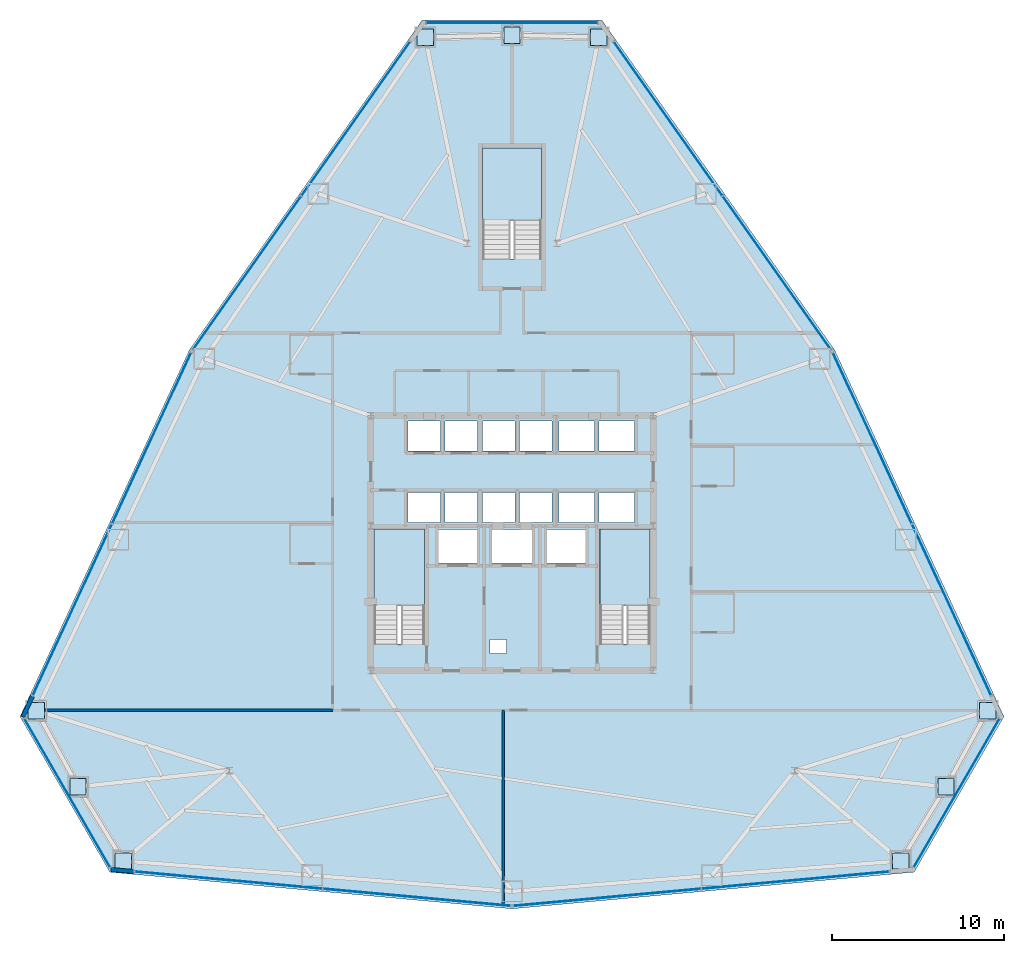
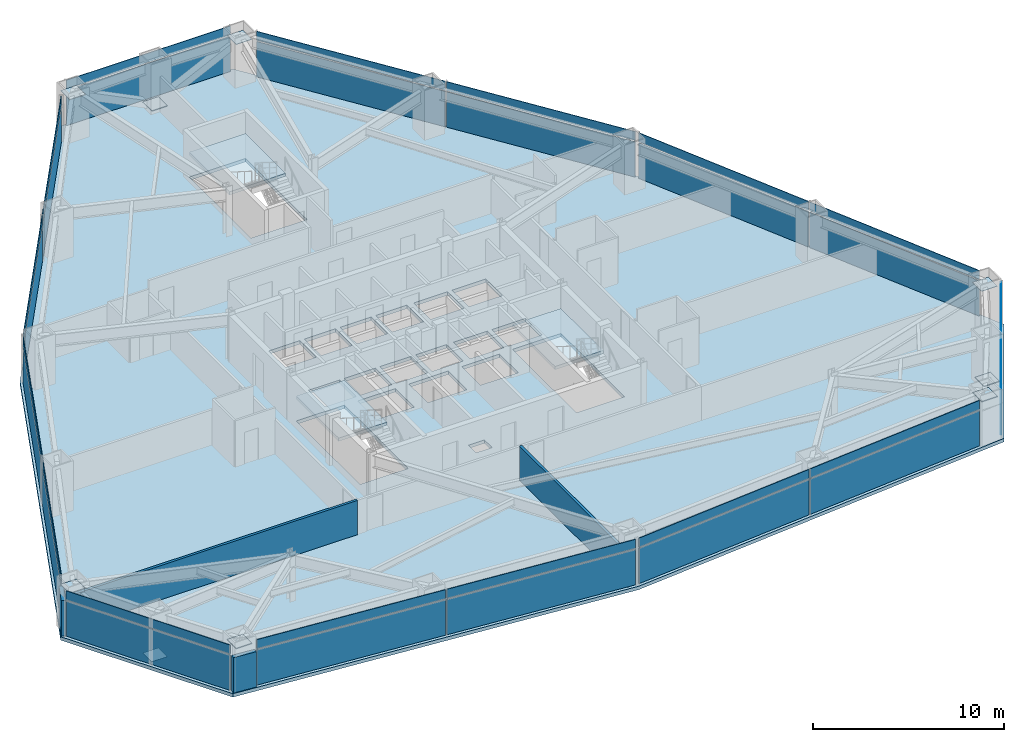
# One storey, part 8 of 12: 39 plates, 4 slabs, 4 walls, 12 elements without a shape of their own.
"""IFC4 building model written with IfcOpenShell, lengths in metres."""

from ifc_helpers import new_model, si_unit, direction, frame, frame_2d, origin, origin_2d, place, context, subcontext, project, spatial, polyline, rectangle, outline, extrude, source, transform, mapped, material, layer, layer_set, type_object, type_shapes, element, aggregate, save


model = new_model("IFC4")

# Units and contexts
model_context = context("Model", 3, precision=1e-05, world=origin(), true_north=direction((0.0, 1.0)))
body_context = subcontext(model_context, "Body", "Model", "MODEL_VIEW")
ifc_project = project(units=[si_unit("LENGTHUNIT", "METRE"), si_unit("AREAUNIT", "SQUARE_METRE"), si_unit("VOLUMEUNIT", "CUBIC_METRE"), si_unit("PLANEANGLEUNIT", "RADIAN"), si_unit("MASSUNIT", "GRAM", prefix="KILO")], contexts=[model_context])

# Site, building, storey
site_placement = place(None, origin())
site = spatial("IfcSite", under=ifc_project, at=site_placement, CompositionType="ELEMENT")
building_placement = place(site_placement, origin())
building = spatial("IfcBuilding", under=site, at=building_placement, Name="Varakhsha Concourse Tower", CompositionType="ELEMENT")
storey_placement = place(building_placement, frame((0.0, 0.0, 43.199951171875)))
storey = spatial("IfcBuildingStorey", under=building, at=storey_placement, Name="L11", CompositionType="ELEMENT", Elevation=43.199951171875)

# Slab
ifc_material_1 = material(Name="Concrete fc 45 MPa", Category="concrete")
ifc_layer_1 = layer(ifc_material_1, 0.219970703125, Name="SL-FLR-220")
ifc_layer_set_1 = layer_set([ifc_layer_1], Name="Concrete fc 45 MPa")
slab_type_1 = type_object("IfcSlabType", Name="SL-FLR-220", PredefinedType="FLOOR", material=ifc_layer_set_1)
slab_1_placement = place(storey_placement, frame((0.0, 0.0, -0.219970703125)))
element("IfcSlab", 1, at=slab_1_placement, inside=storey, type_object=slab_type_1, Name="L11 Composite Structural Slab", PredefinedType="FLOOR", context=body_context, shape_type="SweptSolid", body=[
    extrude(outline(polyline([(45.21435546875, 54.168701171875), (34.78564453125, 54.168701171875), (21.268310546875, 35.0146484375), (11.439208984375, 13.7314453125), (16.653564453125, 4.699951171875), (40.0, 2.570556640625), (63.346435546875, 4.699951171875), (68.560791015625, 13.7314453125), (58.731689453125, 35.0146484375), (45.21435546875, 54.168701171875)]), holes=[polyline([(34.919921875, 17.93994140625), (34.919921875, 24.6298828125), (32.0, 24.6298828125), (32.0, 17.93994140625), (34.919921875, 17.93994140625)]), polyline([(48.02001953125, 17.93994140625), (48.02001953125, 24.6298828125), (45.10009765625, 24.6298828125), (45.10009765625, 17.93994140625), (48.02001953125, 17.93994140625)]), polyline([(41.699951171875, 40.300048828125), (41.699951171875, 46.75), (38.300048828125, 46.75), (38.300048828125, 40.300048828125), (41.699951171875, 40.300048828125)]), polyline([(33.9599609375, 29.159912109375), (35.840087890625, 29.159912109375), (35.840087890625, 30.89990234375), (33.9599609375, 30.89990234375), (33.9599609375, 29.159912109375)]), polyline([(36.1201171875, 29.159912109375), (38.0, 29.159912109375), (38.0, 30.89990234375), (36.1201171875, 30.89990234375), (36.1201171875, 29.159912109375)]), polyline([(38.280029296875, 29.159912109375), (40.159912109375, 29.159912109375), (40.159912109375, 30.89990234375), (38.280029296875, 30.89990234375), (38.280029296875, 29.159912109375)]), polyline([(40.43994140625, 29.159912109375), (42.320068359375, 29.159912109375), (42.320068359375, 30.89990234375), (40.43994140625, 30.89990234375), (40.43994140625, 29.159912109375)]), polyline([(33.9599609375, 25.0), (35.840087890625, 25.0), (35.840087890625, 26.739990234375), (33.9599609375, 26.739990234375), (33.9599609375, 25.0)]), polyline([(36.1201171875, 25.0), (38.0, 25.0), (38.0, 26.739990234375), (36.1201171875, 26.739990234375), (36.1201171875, 25.0)]), polyline([(38.280029296875, 25.0), (40.159912109375, 25.0), (40.159912109375, 26.739990234375), (38.280029296875, 26.739990234375), (38.280029296875, 25.0)]), polyline([(40.43994140625, 25.0), (42.320068359375, 25.0), (42.320068359375, 26.739990234375), (40.43994140625, 26.739990234375), (40.43994140625, 25.0)]), polyline([(42.739990234375, 29.159912109375), (44.780029296875, 29.159912109375), (44.780029296875, 30.89990234375), (42.739990234375, 30.89990234375), (42.739990234375, 29.159912109375)]), polyline([(45.06005859375, 29.159912109375), (47.10009765625, 29.159912109375), (47.10009765625, 30.89990234375), (45.06005859375, 30.89990234375), (45.06005859375, 29.159912109375)]), polyline([(42.739990234375, 25.0), (44.780029296875, 25.0), (44.780029296875, 26.739990234375), (42.739990234375, 26.739990234375), (42.739990234375, 25.0)]), polyline([(45.06005859375, 25.0), (47.10009765625, 25.0), (47.10009765625, 26.739990234375), (45.06005859375, 26.739990234375), (45.06005859375, 25.0)]), polyline([(35.7099609375, 22.639892578125), (37.989990234375, 22.639892578125), (37.989990234375, 24.60009765625), (35.7099609375, 24.60009765625), (35.7099609375, 22.639892578125)]), polyline([(42.010009765625, 22.639892578125), (44.2900390625, 22.639892578125), (44.2900390625, 24.60009765625), (42.010009765625, 24.60009765625), (42.010009765625, 22.639892578125)]), polyline([(38.81005859375, 22.639892578125), (41.18994140625, 22.639892578125), (41.18994140625, 24.60009765625), (38.81005859375, 24.60009765625), (38.81005859375, 22.639892578125)]), polyline([(38.719970703125, 17.39990234375), (39.679931640625, 17.39990234375), (39.679931640625, 18.199951171875), (38.719970703125, 18.199951171875), (38.719970703125, 17.39990234375)])]), origin(), (0.0, 0.0, 1.0), 0.219970703125),
])

# Stair, slab
stair_type_1 = type_object("IfcStairType", Name="ST-DOGLEG-1360", PredefinedType="HALF_TURN_STAIR", material=ifc_material_1)
stair_1_placement = place(storey_placement, origin())
stair_1 = element("IfcStair", 2, at=stair_1_placement, inside=storey, type_object=stair_type_1, Name="L11 Protected Exit Stair ST1", PredefinedType="HALF_TURN_STAIR")
ifc_layer_2 = layer(ifc_material_1, 0.199951171875, Name="SL-LAND-200")
ifc_layer_set_2 = layer_set([ifc_layer_2], Name="Concrete fc 45 MPa")
slab_type_2 = type_object("IfcSlabType", Name="SL-LAND-200", PredefinedType="LANDING", material=ifc_layer_set_2)
slab_2_placement = place(storey_placement, frame((0.0, 0.0, 1.400146484375)))
slab_2 = element("IfcSlab", 3, at=slab_2_placement, type_object=slab_type_2, Name="ST1 landing 1", PredefinedType="LANDING", context=body_context, shape_type="SweptSolid", body=[
    extrude(outline(polyline([(34.919921875, 20.179931640625), (34.919921875, 24.6298828125), (32.0, 24.6298828125), (32.0, 20.179931640625), (34.919921875, 20.179931640625)])), origin(), (0.0, 0.0, 1.0), 0.199951171875),
])
aggregate(stair_1, [slab_2])

stair_2_placement = place(storey_placement, origin())
stair_2 = element("IfcStair", 4, at=stair_2_placement, inside=storey, type_object=stair_type_1, Name="L11 Protected Exit Stair ST2", PredefinedType="HALF_TURN_STAIR")
slab_3_placement = place(storey_placement, frame((0.0, 0.0, 1.400146484375)))
slab_3 = element("IfcSlab", 5, at=slab_3_placement, type_object=slab_type_2, Name="ST2 landing 1", PredefinedType="LANDING", context=body_context, shape_type="SweptSolid", body=[
    extrude(outline(polyline([(48.02001953125, 20.179931640625), (48.02001953125, 24.6298828125), (45.10009765625, 24.6298828125), (45.10009765625, 20.179931640625), (48.02001953125, 20.179931640625)])), origin(), (0.0, 0.0, 1.0), 0.199951171875),
])
aggregate(stair_2, [slab_3])

stair_type_2 = type_object("IfcStairType", Name="ST-DOGLEG-1600", PredefinedType="HALF_TURN_STAIR", material=ifc_material_1)
stair_3_placement = place(storey_placement, origin())
stair_3 = element("IfcStair", 6, at=stair_3_placement, inside=storey, type_object=stair_type_2, Name="L11 Protected Exit Stair ST5", PredefinedType="HALF_TURN_STAIR")
slab_4_placement = place(storey_placement, frame((0.0, 0.0, 1.400146484375)))
slab_4 = element("IfcSlab", 7, at=slab_4_placement, type_object=slab_type_2, Name="ST5 landing 1", PredefinedType="LANDING", context=body_context, shape_type="SweptSolid", body=[
    extrude(outline(polyline([(41.699951171875, 42.5400390625), (41.699951171875, 46.75), (38.300048828125, 46.75), (38.300048828125, 42.5400390625), (41.699951171875, 42.5400390625)])), origin(), (0.0, 0.0, 1.0), 0.199951171875),
])
aggregate(stair_3, [slab_4])

# Plates
ifc_material_2 = material(Name="Structural Steel ASTM A572 Grade 50", Category="steel")
ifc_layer_3 = layer(ifc_material_2, 0.030029296875, Name="PL-ENDCAP-950")
ifc_layer_set_3 = layer_set([ifc_layer_3], Name="Structural Steel ASTM A572 Grade 50")
plate_type_1 = type_object("IfcPlateType", Name="PL-ENDCAP-950", PredefinedType="USERDEFINED", material=ifc_layer_set_3)
shared_shape_1 = source(origin(), body_context, "Body", "SweptSolid", [
    extrude(rectangle(XDim=0.949951171875, YDim=0.949951171875, at=origin_2d()), origin(), (0.0, 0.0, 1.0), 0.030029296875),
])
type_shapes(plate_type_1, [shared_shape_1])
for number, where, z_axis, x_axis, name in (
    (8, (40.0, 53.28857421875, 0.10498046875), (0.0, 0.0, 1.0), (1.0, 0.0, 0.0), "Hollow Section End Cap GP-NODE-L11-0061"),
    (9, (45.040771484375, 53.171630859375, 2.6650390625), (0.0, 0.0, 1.0), (1.0, 0.0, 0.0), "Hollow Section End Cap GP-NODE-L11-0062"),
    (10, (34.959228515625, 53.171630859375, 2.6650390625), (0.0, 0.0, 1.0), (1.0, 0.0, 0.0), "Hollow Section End Cap GP-NODE-L11-0063"),
    (11, (14.80859375, 9.65576171875, 0.10498046875), (0.0, 0.0, 1.0), (1.0, 0.0, 0.0), "Hollow Section End Cap GP-NODE-L11-0064"),
    (12, (12.389404296875, 14.07958984375, 2.6650390625), (0.0, 0.0, 1.0), (1.0, 0.0, 0.0), "Hollow Section End Cap GP-NODE-L11-0065"),
    (13, (17.430419921875, 5.3486328125, 2.6650390625), (0.0, 0.0, 1.0), (1.0, 0.0, 0.0), "Hollow Section End Cap GP-NODE-L11-0066"),
    (14, (65.19140625, 9.65576171875, 0.10498046875), (0.0, 0.0, 1.0), (1.0, 0.0, 0.0), "Hollow Section End Cap GP-NODE-L11-0067"),
    (15, (62.569580078125, 5.3486328125, 2.6650390625), (0.0, 0.0, 1.0), (1.0, 0.0, 0.0), "Hollow Section End Cap GP-NODE-L11-0068"),
    (16, (67.610595703125, 14.07958984375, 2.6650390625), (0.0, 0.0, 1.0), (1.0, 0.0, 0.0), "Hollow Section End Cap GP-NODE-L11-0069"),
):
    element("IfcPlate", number, at=place(storey_placement, frame(where, z_axis=z_axis, x_axis=x_axis)), inside=storey, type_object=plate_type_1, Name=name, ObjectType="END PLATE", PredefinedType="USERDEFINED", context=body_context, shape_type="MappedRepresentation", body=[
        mapped(shared_shape_1, transform((0.0, 0.0, 0.0), scale=1.0)),
    ])

# Curtain wall, plate
ifc_material_3 = material(Name="Anodised Bronze Architectural Aluminium AA 6063-T6", Category="aluminium")
ifc_layer_4 = layer(ifc_material_3, 0.219970703125, Name="CW-SYS-02")
ifc_layer_set_4 = layer_set([ifc_layer_4], Name="Anodised Bronze Architectural Aluminium AA 6063-T6")
curtain_wall_type = type_object("IfcCurtainWallType", Name="CW-SYS-02", PredefinedType="NOTDEFINED", material=ifc_layer_set_4)
curtain_wall_1_placement = place(storey_placement, origin())
curtain_wall_1 = element("IfcCurtainWall", 17, at=curtain_wall_1_placement, inside=storey, type_object=curtain_wall_type, Name="L11 Chamfer Curtain Wall F1", PredefinedType="NOTDEFINED")
ifc_material_4 = material(Name="Insulated Anodised Bronze Aluminium Spandrel 36 mm", Category="aluminium")
ifc_layer_5 = layer(ifc_material_4, 0.035888671875, Name="CWP-SPN-36")
ifc_layer_set_5 = layer_set([ifc_layer_5], Name="Insulated Anodised Bronze Aluminium Spandrel 36 mm")
plate_type_2 = type_object("IfcPlateType", Name="CWP-SPN-36", PredefinedType="USERDEFINED", material=ifc_layer_set_5)
shared_shape_2 = source(origin(), body_context, "Body", "SweptSolid", [
    extrude(rectangle(XDim=9.90966796875, YDim=0.035888671875, at=origin_2d()), origin(), (0.0, 0.0, 1.0), 2.260986328125),
])
type_shapes(plate_type_2, [shared_shape_2])
plate_1_placement = place(storey_placement, frame((40.0, 54.008544921875, 0.03466796875), z_axis=(0.0, 0.0, 1.0), x_axis=(1.0, 0.0, 0.0)))
plate_1 = element("IfcPlate", 18, at=plate_1_placement, type_object=plate_type_2, Name="CW-L11-F1 Panel 00-00", ObjectType="SPANDREL", PredefinedType="USERDEFINED", context=body_context, shape_type="MappedRepresentation", body=[
    mapped(shared_shape_2, transform((0.0, 0.0, 0.0), scale=1.0)),
])

curtain_wall_2_placement = place(storey_placement, origin())
curtain_wall_2 = element("IfcCurtainWall", 19, at=curtain_wall_2_placement, inside=storey, type_object=curtain_wall_type, Name="L11 Chamfer Curtain Wall F4", PredefinedType="NOTDEFINED")
plate_2_placement = place(storey_placement, frame((14.18505859375, 9.295654296875, 0.03466796875), z_axis=(0.0, 0.0, 1.0), x_axis=(-0.4999984885, 0.866026276448, 0.0)))
plate_2 = element("IfcPlate", 20, at=plate_2_placement, type_object=plate_type_2, Name="CW-L11-F4 Panel 00-00", ObjectType="SPANDREL", PredefinedType="USERDEFINED", context=body_context, shape_type="MappedRepresentation", body=[
    mapped(shared_shape_2, transform((0.0, 0.0, 0.0), scale=1.0)),
])

curtain_wall_3_placement = place(storey_placement, origin())
curtain_wall_3 = element("IfcCurtainWall", 21, at=curtain_wall_3_placement, inside=storey, type_object=curtain_wall_type, Name="L11 Chamfer Curtain Wall F7", PredefinedType="NOTDEFINED")
plate_3_placement = place(storey_placement, frame((65.81494140625, 9.295654296875, 0.03466796875), z_axis=(0.0, 0.0, 1.0), x_axis=(-0.4999984885, -0.866026276448, 0.0)))
plate_3 = element("IfcPlate", 22, at=plate_3_placement, type_object=plate_type_2, Name="CW-L11-F7 Panel 00-00", ObjectType="SPANDREL", PredefinedType="USERDEFINED", context=body_context, shape_type="MappedRepresentation", body=[
    mapped(shared_shape_2, transform((0.0, 0.0, 0.0), scale=1.0)),
])

# Plate
ifc_material_5 = material(Name="Glazed Turquoise-Bronze Ceramic Spandrel Panel 38 mm", Category="ceramic")
ifc_layer_6 = layer(ifc_material_5, 0.0380859375, Name="CWP-SPN-38")
ifc_layer_set_6 = layer_set([ifc_layer_6], Name="Glazed Turquoise-Bronze Ceramic Spandrel Panel 38 mm")
plate_type_3 = type_object("IfcPlateType", Name="CWP-SPN-38", PredefinedType="USERDEFINED", material=ifc_layer_set_6)
shared_shape_3 = source(origin(), body_context, "Body", "SweptSolid", [
    extrude(rectangle(XDim=9.90966796875, YDim=0.0380859375, at=origin_2d()), origin(), (0.0, 0.0, 1.0), 0.5810546875),
])
plate_4_placement = place(storey_placement, frame((40.0, 54.008544921875, 2.364501953125), z_axis=(0.0, 0.0, 1.0), x_axis=(1.0, 0.0, 0.0)))
plate_4 = element("IfcPlate", 23, at=plate_4_placement, type_object=plate_type_3, Name="CW-L11-F1 Panel 00-01", ObjectType="SPANDREL", PredefinedType="USERDEFINED", context=body_context, shape_type="MappedRepresentation", body=[
    mapped(shared_shape_3, transform((0.0, 0.0, 0.0), scale=1.0)),
])

aggregate(curtain_wall_1, [plate_1, plate_4])

plate_5_placement = place(storey_placement, frame((14.18505859375, 9.295654296875, 2.364501953125), z_axis=(0.0, 0.0, 1.0), x_axis=(-0.4999984885, 0.866026276448, 0.0)))
plate_5 = element("IfcPlate", 24, at=plate_5_placement, type_object=plate_type_3, Name="CW-L11-F4 Panel 00-01", ObjectType="SPANDREL", PredefinedType="USERDEFINED", context=body_context, shape_type="MappedRepresentation", body=[
    mapped(shared_shape_3, transform((0.0, 0.0, 0.0), scale=1.0)),
])

aggregate(curtain_wall_2, [plate_2, plate_5])

plate_6_placement = place(storey_placement, frame((65.81494140625, 9.295654296875, 2.364501953125), z_axis=(0.0, 0.0, 1.0), x_axis=(-0.4999984885, -0.866026276448, 0.0)))
plate_6 = element("IfcPlate", 25, at=plate_6_placement, type_object=plate_type_3, Name="CW-L11-F7 Panel 00-01", ObjectType="SPANDREL", PredefinedType="USERDEFINED", context=body_context, shape_type="MappedRepresentation", body=[
    mapped(shared_shape_3, transform((0.0, 0.0, 0.0), scale=1.0)),
])

aggregate(curtain_wall_3, [plate_3, plate_6])

# Curtain wall, plates
curtain_wall_4_placement = place(storey_placement, origin())
curtain_wall_4 = element("IfcCurtainWall", 26, at=curtain_wall_4_placement, inside=storey, type_object=curtain_wall_type, Name="L11 Crystal Curtain Wall F2", PredefinedType="NOTDEFINED")
ifc_material_6 = material(Name="Low-E Triple Insulating Glass IGU 44 mm", Category="glass")
ifc_layer_7 = layer(ifc_material_6, 0.0439453125, Name="CWP-IGU-44")
ifc_layer_set_7 = layer_set([ifc_layer_7], Name="Low-E Triple Insulating Glass IGU 44 mm")
plate_type_4 = type_object("IfcPlateType", Name="CWP-IGU-44", PredefinedType="CURTAIN_PANEL", material=ifc_layer_set_7)
shared_shape_4 = source(origin(), body_context, "Body", "SweptSolid", [
    extrude(rectangle(XDim=10.892578125, YDim=0.0439453125, at=origin_2d()), origin(), (0.0, 0.0, 1.0), 2.260986328125),
])
type_shapes(plate_type_4, [shared_shape_4])
plate_7_placement = place(storey_placement, frame((24.6083984375, 39.469970703125, 0.03466796875), z_axis=(0.0, 0.0, 1.0), x_axis=(0.576593464077, 0.817031197191, 0.0)))
plate_7 = element("IfcPlate", 27, at=plate_7_placement, type_object=plate_type_4, Name="CW-L11-F2 Panel 00-00", PredefinedType="CURTAIN_PANEL", context=body_context, shape_type="MappedRepresentation", body=[
    mapped(shared_shape_4, transform((0.0, 0.0, 0.0), scale=1.0)),
])
plate_8_placement = place(storey_placement, frame((30.9345703125, 48.43408203125, 0.03466796875), z_axis=(0.0, 0.0, 1.0), x_axis=(0.576593464077, 0.817031197191, 0.0)))
plate_8 = element("IfcPlate", 28, at=plate_8_placement, type_object=plate_type_4, Name="CW-L11-F2 Panel 01-00", PredefinedType="CURTAIN_PANEL", context=body_context, shape_type="MappedRepresentation", body=[
    mapped(shared_shape_4, transform((0.0, 0.0, 0.0), scale=1.0)),
])

curtain_wall_5_placement = place(storey_placement, origin())
curtain_wall_5 = element("IfcCurtainWall", 29, at=curtain_wall_5_placement, inside=storey, type_object=curtain_wall_type, Name="L11 Crystal Curtain Wall F3", PredefinedType="NOTDEFINED")
plate_9_placement = place(storey_placement, frame((14.47998046875, 19.933837890625, 0.03466796875), z_axis=(0.0, 0.0, 1.0), x_axis=(0.419269871381, 0.907861649676, 0.0)))
plate_9 = element("IfcPlate", 30, at=plate_9_placement, type_object=plate_type_4, Name="CW-L11-F3 Panel 00-00", PredefinedType="CURTAIN_PANEL", context=body_context, shape_type="MappedRepresentation", body=[
    mapped(shared_shape_4, transform((0.0, 0.0, 0.0), scale=1.0)),
])
plate_10_placement = place(storey_placement, frame((19.080078125, 29.89453125, 0.03466796875), z_axis=(0.0, 0.0, 1.0), x_axis=(0.419269871381, 0.907861649676, 0.0)))
plate_10 = element("IfcPlate", 31, at=plate_10_placement, type_object=plate_type_4, Name="CW-L11-F3 Panel 01-00", PredefinedType="CURTAIN_PANEL", context=body_context, shape_type="MappedRepresentation", body=[
    mapped(shared_shape_4, transform((0.0, 0.0, 0.0), scale=1.0)),
])

curtain_wall_6_placement = place(storey_placement, origin())
curtain_wall_6 = element("IfcCurtainWall", 32, at=curtain_wall_6_placement, inside=storey, type_object=curtain_wall_type, Name="L11 Crystal Curtain Wall F5", PredefinedType="NOTDEFINED")
plate_11_placement = place(storey_placement, frame((34.4716796875, 3.235595703125, 0.03466796875), z_axis=(0.0, 0.0, 1.0), x_axis=(-0.995866028897, 0.090834203295, 0.0)))
plate_11 = element("IfcPlate", 33, at=plate_11_placement, type_object=plate_type_4, Name="CW-L11-F5 Panel 00-00", PredefinedType="CURTAIN_PANEL", context=body_context, shape_type="MappedRepresentation", body=[
    mapped(shared_shape_4, transform((0.0, 0.0, 0.0), scale=1.0)),
])
plate_12_placement = place(storey_placement, frame((23.54541015625, 4.232177734375, 0.03466796875), z_axis=(0.0, 0.0, 1.0), x_axis=(-0.995866028897, 0.090834203295, 0.0)))
plate_12 = element("IfcPlate", 34, at=plate_12_placement, type_object=plate_type_4, Name="CW-L11-F5 Panel 01-00", PredefinedType="CURTAIN_PANEL", context=body_context, shape_type="MappedRepresentation", body=[
    mapped(shared_shape_4, transform((0.0, 0.0, 0.0), scale=1.0)),
])

curtain_wall_7_placement = place(storey_placement, origin())
curtain_wall_7 = element("IfcCurtainWall", 35, at=curtain_wall_7_placement, inside=storey, type_object=curtain_wall_type, Name="L11 Crystal Curtain Wall F6", PredefinedType="NOTDEFINED")
plate_13_placement = place(storey_placement, frame((56.45458984375, 4.232177734375, 0.03466796875), z_axis=(0.0, 0.0, 1.0), x_axis=(-0.995866028897, -0.090834203295, 0.0)))
plate_13 = element("IfcPlate", 36, at=plate_13_placement, type_object=plate_type_4, Name="CW-L11-F6 Panel 00-00", PredefinedType="CURTAIN_PANEL", context=body_context, shape_type="MappedRepresentation", body=[
    mapped(shared_shape_4, transform((0.0, 0.0, 0.0), scale=1.0)),
])
plate_14_placement = place(storey_placement, frame((45.5283203125, 3.235595703125, 0.03466796875), z_axis=(0.0, 0.0, 1.0), x_axis=(-0.995866028897, -0.090834203295, 0.0)))
plate_14 = element("IfcPlate", 37, at=plate_14_placement, type_object=plate_type_4, Name="CW-L11-F6 Panel 01-00", PredefinedType="CURTAIN_PANEL", context=body_context, shape_type="MappedRepresentation", body=[
    mapped(shared_shape_4, transform((0.0, 0.0, 0.0), scale=1.0)),
])

curtain_wall_8_placement = place(storey_placement, origin())
curtain_wall_8 = element("IfcCurtainWall", 38, at=curtain_wall_8_placement, inside=storey, type_object=curtain_wall_type, Name="L11 Crystal Curtain Wall F8", PredefinedType="NOTDEFINED")
plate_15_placement = place(storey_placement, frame((60.919921875, 29.89453125, 0.03466796875), z_axis=(0.0, 0.0, 1.0), x_axis=(0.419269871381, -0.907861649676, 0.0)))
plate_15 = element("IfcPlate", 39, at=plate_15_placement, type_object=plate_type_4, Name="CW-L11-F8 Panel 00-00", PredefinedType="CURTAIN_PANEL", context=body_context, shape_type="MappedRepresentation", body=[
    mapped(shared_shape_4, transform((0.0, 0.0, 0.0), scale=1.0)),
])
plate_16_placement = place(storey_placement, frame((65.52001953125, 19.933837890625, 0.03466796875), z_axis=(0.0, 0.0, 1.0), x_axis=(0.419269871381, -0.907861649676, 0.0)))
plate_16 = element("IfcPlate", 40, at=plate_16_placement, type_object=plate_type_4, Name="CW-L11-F8 Panel 01-00", PredefinedType="CURTAIN_PANEL", context=body_context, shape_type="MappedRepresentation", body=[
    mapped(shared_shape_4, transform((0.0, 0.0, 0.0), scale=1.0)),
])

curtain_wall_9_placement = place(storey_placement, origin())
curtain_wall_9 = element("IfcCurtainWall", 41, at=curtain_wall_9_placement, inside=storey, type_object=curtain_wall_type, Name="L11 Crystal Curtain Wall F9", PredefinedType="NOTDEFINED")
plate_17_placement = place(storey_placement, frame((49.0654296875, 48.43408203125, 0.03466796875), z_axis=(0.0, 0.0, 1.0), x_axis=(0.576593464077, -0.817031197191, 0.0)))
plate_17 = element("IfcPlate", 42, at=plate_17_placement, type_object=plate_type_4, Name="CW-L11-F9 Panel 00-00", PredefinedType="CURTAIN_PANEL", context=body_context, shape_type="MappedRepresentation", body=[
    mapped(shared_shape_4, transform((0.0, 0.0, 0.0), scale=1.0)),
])
plate_18_placement = place(storey_placement, frame((55.3916015625, 39.469970703125, 0.03466796875), z_axis=(0.0, 0.0, 1.0), x_axis=(0.576593464077, -0.817031197191, 0.0)))
plate_18 = element("IfcPlate", 43, at=plate_18_placement, type_object=plate_type_4, Name="CW-L11-F9 Panel 01-00", PredefinedType="CURTAIN_PANEL", context=body_context, shape_type="MappedRepresentation", body=[
    mapped(shared_shape_4, transform((0.0, 0.0, 0.0), scale=1.0)),
])

# Plate
shared_shape_5 = source(origin(), body_context, "Body", "SweptSolid", [
    extrude(rectangle(XDim=10.892578125, YDim=0.0380859375, at=origin_2d()), origin(), (0.0, 0.0, 1.0), 0.5810546875),
])
type_shapes(plate_type_3, [shared_shape_3, shared_shape_5])
plate_19_placement = place(storey_placement, frame((24.6083984375, 39.469970703125, 2.364501953125), z_axis=(0.0, 0.0, 1.0), x_axis=(0.576593464077, 0.817031197191, 0.0)))
plate_19 = element("IfcPlate", 44, at=plate_19_placement, type_object=plate_type_3, Name="CW-L11-F2 Panel 00-01", ObjectType="SPANDREL", PredefinedType="USERDEFINED", context=body_context, shape_type="MappedRepresentation", body=[
    mapped(shared_shape_5, transform((0.0, 0.0, 0.0), scale=1.0)),
])

plate_20_placement = place(storey_placement, frame((30.9345703125, 48.43408203125, 2.364501953125), z_axis=(0.0, 0.0, 1.0), x_axis=(0.576593464077, 0.817031197191, 0.0)))
plate_20 = element("IfcPlate", 45, at=plate_20_placement, type_object=plate_type_3, Name="CW-L11-F2 Panel 01-01", ObjectType="SPANDREL", PredefinedType="USERDEFINED", context=body_context, shape_type="MappedRepresentation", body=[
    mapped(shared_shape_5, transform((0.0, 0.0, 0.0), scale=1.0)),
])

aggregate(curtain_wall_4, [plate_7, plate_19, plate_8, plate_20])

plate_21_placement = place(storey_placement, frame((14.47998046875, 19.933837890625, 2.364501953125), z_axis=(0.0, 0.0, 1.0), x_axis=(0.419269871381, 0.907861649676, 0.0)))
plate_21 = element("IfcPlate", 46, at=plate_21_placement, type_object=plate_type_3, Name="CW-L11-F3 Panel 00-01", ObjectType="SPANDREL", PredefinedType="USERDEFINED", context=body_context, shape_type="MappedRepresentation", body=[
    mapped(shared_shape_5, transform((0.0, 0.0, 0.0), scale=1.0)),
])

plate_22_placement = place(storey_placement, frame((19.080078125, 29.89453125, 2.364501953125), z_axis=(0.0, 0.0, 1.0), x_axis=(0.419269871381, 0.907861649676, 0.0)))
plate_22 = element("IfcPlate", 47, at=plate_22_placement, type_object=plate_type_3, Name="CW-L11-F3 Panel 01-01", ObjectType="SPANDREL", PredefinedType="USERDEFINED", context=body_context, shape_type="MappedRepresentation", body=[
    mapped(shared_shape_5, transform((0.0, 0.0, 0.0), scale=1.0)),
])

aggregate(curtain_wall_5, [plate_9, plate_21, plate_10, plate_22])

plate_23_placement = place(storey_placement, frame((34.4716796875, 3.235595703125, 2.364501953125), z_axis=(0.0, 0.0, 1.0), x_axis=(-0.995866028897, 0.090834203295, 0.0)))
plate_23 = element("IfcPlate", 48, at=plate_23_placement, type_object=plate_type_3, Name="CW-L11-F5 Panel 00-01", ObjectType="SPANDREL", PredefinedType="USERDEFINED", context=body_context, shape_type="MappedRepresentation", body=[
    mapped(shared_shape_5, transform((0.0, 0.0, 0.0), scale=1.0)),
])

plate_24_placement = place(storey_placement, frame((23.54541015625, 4.232177734375, 2.364501953125), z_axis=(0.0, 0.0, 1.0), x_axis=(-0.995866028897, 0.090834203295, 0.0)))
plate_24 = element("IfcPlate", 49, at=plate_24_placement, type_object=plate_type_3, Name="CW-L11-F5 Panel 01-01", ObjectType="SPANDREL", PredefinedType="USERDEFINED", context=body_context, shape_type="MappedRepresentation", body=[
    mapped(shared_shape_5, transform((0.0, 0.0, 0.0), scale=1.0)),
])

aggregate(curtain_wall_6, [plate_11, plate_23, plate_12, plate_24])

plate_25_placement = place(storey_placement, frame((56.45458984375, 4.232177734375, 2.364501953125), z_axis=(0.0, 0.0, 1.0), x_axis=(-0.995866028897, -0.090834203295, 0.0)))
plate_25 = element("IfcPlate", 50, at=plate_25_placement, type_object=plate_type_3, Name="CW-L11-F6 Panel 00-01", ObjectType="SPANDREL", PredefinedType="USERDEFINED", context=body_context, shape_type="MappedRepresentation", body=[
    mapped(shared_shape_5, transform((0.0, 0.0, 0.0), scale=1.0)),
])

plate_26_placement = place(storey_placement, frame((45.5283203125, 3.235595703125, 2.364501953125), z_axis=(0.0, 0.0, 1.0), x_axis=(-0.995866028897, -0.090834203295, 0.0)))
plate_26 = element("IfcPlate", 51, at=plate_26_placement, type_object=plate_type_3, Name="CW-L11-F6 Panel 01-01", ObjectType="SPANDREL", PredefinedType="USERDEFINED", context=body_context, shape_type="MappedRepresentation", body=[
    mapped(shared_shape_5, transform((0.0, 0.0, 0.0), scale=1.0)),
])

aggregate(curtain_wall_7, [plate_13, plate_25, plate_14, plate_26])

plate_27_placement = place(storey_placement, frame((60.919921875, 29.89453125, 2.364501953125), z_axis=(0.0, 0.0, 1.0), x_axis=(0.419269871381, -0.907861649676, 0.0)))
plate_27 = element("IfcPlate", 52, at=plate_27_placement, type_object=plate_type_3, Name="CW-L11-F8 Panel 00-01", ObjectType="SPANDREL", PredefinedType="USERDEFINED", context=body_context, shape_type="MappedRepresentation", body=[
    mapped(shared_shape_5, transform((0.0, 0.0, 0.0), scale=1.0)),
])

plate_28_placement = place(storey_placement, frame((65.52001953125, 19.933837890625, 2.364501953125), z_axis=(0.0, 0.0, 1.0), x_axis=(0.419269871381, -0.907861649676, 0.0)))
plate_28 = element("IfcPlate", 53, at=plate_28_placement, type_object=plate_type_3, Name="CW-L11-F8 Panel 01-01", ObjectType="SPANDREL", PredefinedType="USERDEFINED", context=body_context, shape_type="MappedRepresentation", body=[
    mapped(shared_shape_5, transform((0.0, 0.0, 0.0), scale=1.0)),
])

aggregate(curtain_wall_8, [plate_15, plate_27, plate_16, plate_28])

plate_29_placement = place(storey_placement, frame((49.0654296875, 48.43408203125, 2.364501953125), z_axis=(0.0, 0.0, 1.0), x_axis=(0.576593464077, -0.817031197191, 0.0)))
plate_29 = element("IfcPlate", 54, at=plate_29_placement, type_object=plate_type_3, Name="CW-L11-F9 Panel 00-01", ObjectType="SPANDREL", PredefinedType="USERDEFINED", context=body_context, shape_type="MappedRepresentation", body=[
    mapped(shared_shape_5, transform((0.0, 0.0, 0.0), scale=1.0)),
])

plate_30_placement = place(storey_placement, frame((55.3916015625, 39.469970703125, 2.364501953125), z_axis=(0.0, 0.0, 1.0), x_axis=(0.576593464077, -0.817031197191, 0.0)))
plate_30 = element("IfcPlate", 55, at=plate_30_placement, type_object=plate_type_3, Name="CW-L11-F9 Panel 01-01", ObjectType="SPANDREL", PredefinedType="USERDEFINED", context=body_context, shape_type="MappedRepresentation", body=[
    mapped(shared_shape_5, transform((0.0, 0.0, 0.0), scale=1.0)),
])

aggregate(curtain_wall_9, [plate_17, plate_29, plate_18, plate_30])

# Walls
ifc_layer_8 = layer(ifc_material_1, 0.239990234375, Name="WL-EXT-CRN-240")
ifc_layer_set_8 = layer_set([ifc_layer_8], Name="Concrete fc 45 MPa")
wall_type_1 = type_object("IfcWallType", Name="WL-EXT-CRN-240", PredefinedType="SHEAR", material=ifc_layer_set_8)
for number, where, z_axis, x_axis, name in (
    (56, (12.164306640625, 14.91943359375, 0.0), (0.0, 0.0, 1.0), (-0.419348851808, -0.907825170662, 0.0), "L11 Wind-Corner Shoulder Wall F3"),
    (57, (16.718994140625, 4.854736328125, 0.0), (0.0, 0.0, 1.0), (0.995872137329, -0.090767208245, 0.0), "L11 Wind-Corner Shoulder Wall F5"),
):
    element("IfcWall", number, at=place(storey_placement, frame(where, z_axis=z_axis, x_axis=x_axis)), inside=storey, type_object=wall_type_1, Name=name, PredefinedType="SHEAR", context=body_context, shape_type="SweptSolid", body=[
        extrude(rectangle(XDim=1.33154296875, YDim=0.239990234375, at=frame_2d((0.665771484375, 0.0))), origin(), (0.0, 0.0, 1.0), 2.262939453125),
    ])
ifc_material_7 = material(Name="Fire-Rated Type X Gypsum Partition Assembly", Category="gypsum")
ifc_layer_9 = layer(ifc_material_7, 0.14990234375, Name="WL-PART-150")
ifc_layer_set_9 = layer_set([ifc_layer_9], Name="Fire-Rated Type X Gypsum Partition Assembly")
wall_type_2 = type_object("IfcWallType", Name="WL-PART-150", PredefinedType="PARTITIONING", material=ifc_layer_set_9)
wall_1_placement = place(storey_placement, frame((39.5, 2.781982421875, 0.0), z_axis=(0.0, 0.0, 1.0), x_axis=(0.0, 1.0, 0.0)))
element("IfcWall", 58, at=wall_1_placement, inside=storey, type_object=wall_type_2, Name="L11 Wall HDIV-S1-L11", PredefinedType="PARTITIONING", context=body_context, shape_type="SweptSolid", body=[
    extrude(rectangle(XDim=11.318115234375, YDim=0.14990234375, at=frame_2d((5.6591796875, 0.0))), origin(), (0.0, 0.0, 1.0), 2.191162109375),
])
wall_2_placement = place(storey_placement, frame((11.791259765625, 14.10009765625, 0.0), z_axis=(0.0, 0.0, 1.0), x_axis=(1.0, 0.0, 0.0)))
element("IfcWall", 59, at=wall_2_placement, inside=storey, type_object=wall_type_2, Name="L11 Wall HDIV-WB0-L11", PredefinedType="PARTITIONING", context=body_context, shape_type="SweptSolid", body=[
    extrude(rectangle(XDim=17.808837890625, YDim=0.14990234375, at=frame_2d((8.904296875, 0.0))), origin(), (0.0, 0.0, 1.0), 2.191162109375),
])

save(model, "model.ifc")
